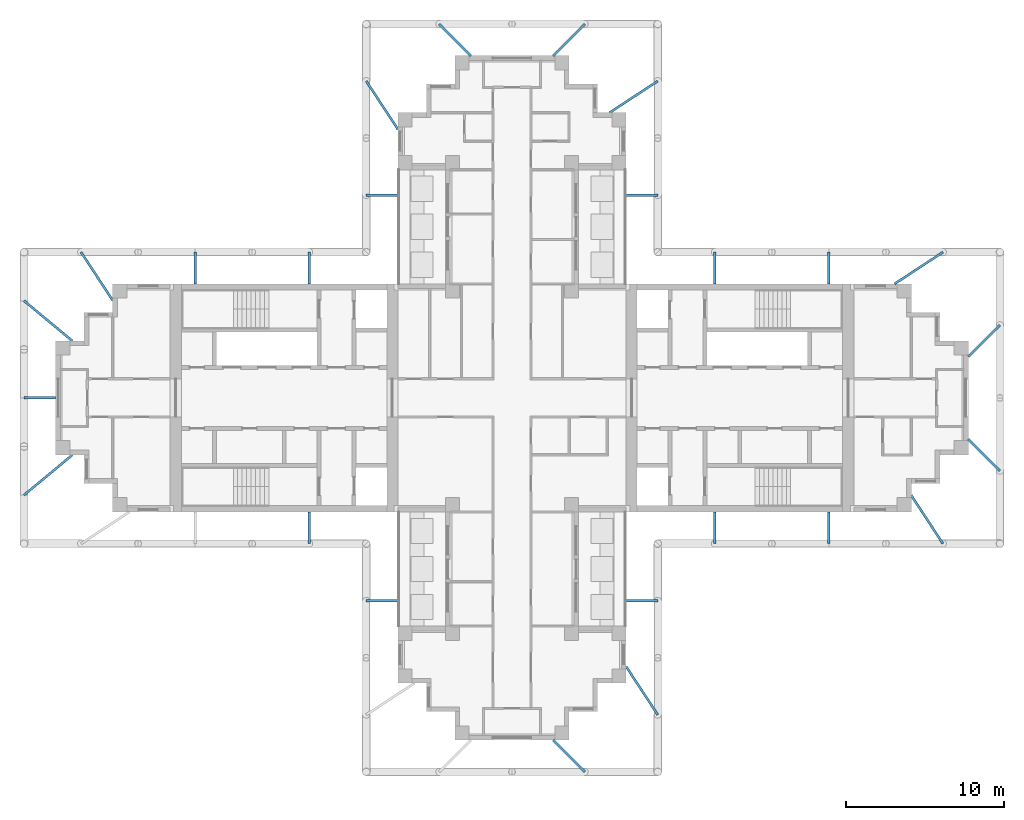
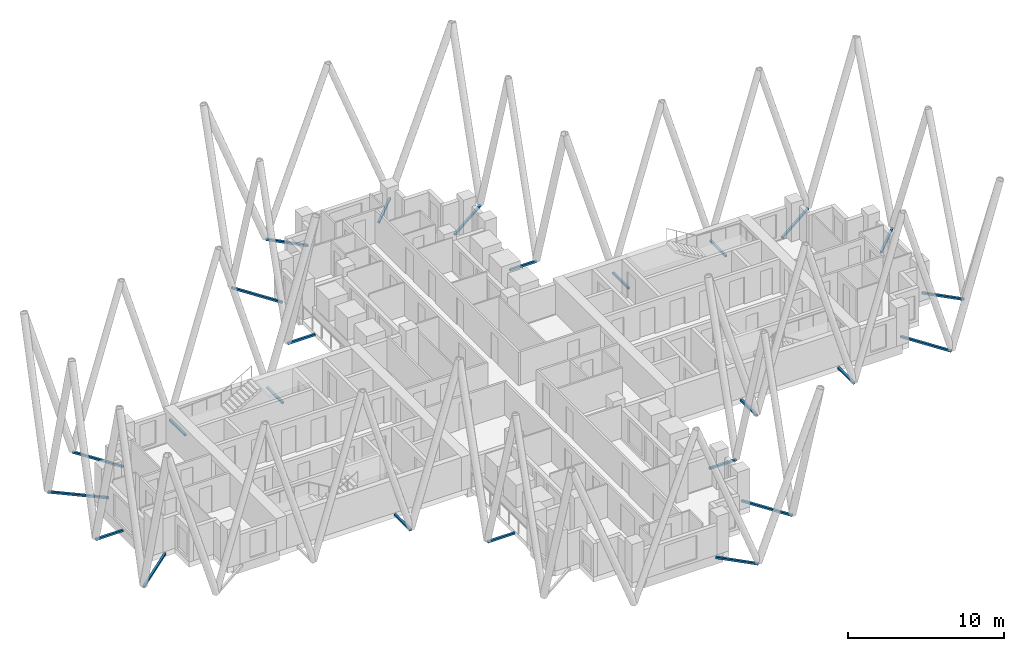
# One storey, part 9 of 11: 25 discrete accessories.
"""IFC4 building model written with IfcOpenShell, lengths in metres."""

from ifc_helpers import new_model, si_unit, direction, frame, origin, origin_2d, place, context, subcontext, project, spatial, hollow_rectangle, extrude, material, element, save


model = new_model("IFC4")

# Units and contexts
model_context = context("Model", 3, precision=1e-05, world=origin(), true_north=direction((0.0, 1.0)))
body_context = subcontext(model_context, "Body", "Model", "MODEL_VIEW")
ifc_project = project(units=[si_unit("LENGTHUNIT", "METRE"), si_unit("AREAUNIT", "SQUARE_METRE"), si_unit("VOLUMEUNIT", "CUBIC_METRE"), si_unit("PLANEANGLEUNIT", "RADIAN"), si_unit("MASSUNIT", "GRAM", prefix="KILO")], contexts=[model_context])

# Site, building, storey
site_placement = place(None, origin())
site = spatial("IfcSite", under=ifc_project, at=site_placement, CompositionType="ELEMENT")
building_placement = place(site_placement, origin())
building = spatial("IfcBuilding", under=site, at=building_placement, Name="Fustian Cross Tower", CompositionType="ELEMENT")
storey_placement = place(building_placement, frame((0.0, 0.0, 210.89990234375)))
storey = spatial("IfcBuildingStorey", under=building, at=storey_placement, Name="L66", CompositionType="ELEMENT", Elevation=210.89990234375)

# Discrete accessories
ifc_material = material(Name="Steel S355", Category="steel")
discrete_accessory_1_placement = place(storey_placement, frame((30.800048828125, 4.60009765625, -0.14990234375), z_axis=(-0.707106781187, -0.707106781187, 0.0), x_axis=(0.707106781187, -0.707106781187, 0.0)))
element("IfcDiscreteAccessory", 1, at=discrete_accessory_1_placement, inside=storey, material=ifc_material, Name="Diagrid node bracket L66-01", PredefinedType="BRACKET", context=body_context, shape_type="SweptSolid", body=[
    extrude(hollow_rectangle(XDim=0.14990234375, YDim=0.14990234375, WallThickness=0.010009765625, at=origin_2d()), origin(), (0.0, 0.0, 1.0), 2.828369140625),
])
discrete_accessory_2_placement = place(storey_placement, frame((27.199951171875, 9.199951171875, -0.14990234375), z_axis=(-0.836248392914, -0.548350823241, 0.0), x_axis=(0.548350823241, -0.836248392914, 0.0)))
element("IfcDiscreteAccessory", 2, at=discrete_accessory_2_placement, inside=storey, material=ifc_material, Name="Diagrid node bracket L66-02", PredefinedType="BRACKET", context=body_context, shape_type="SweptSolid", body=[
    extrude(hollow_rectangle(XDim=0.14990234375, YDim=0.14990234375, WallThickness=0.010009765625, at=origin_2d()), origin(), (0.0, 0.0, 1.0), 3.647216796875),
])
for number, where, z_axis, x_axis, name in (
    (3, (20.0, 9.199951171875, -0.14990234375), (0.0, -1.0, 0.0), (1.0, 0.0, 0.0), "Diagrid node bracket L66-03"),
    (4, (12.800048828125, 9.199951171875, -0.14990234375), (0.0, -1.0, 0.0), (1.0, 0.0, 0.0), "Diagrid node bracket L66-04"),
    (5, (9.199951171875, 12.800048828125, -0.14990234375), (-1.0, 0.0, 0.0), (0.0, -1.0, 0.0), "Diagrid node bracket L66-05"),
):
    element("IfcDiscreteAccessory", number, at=place(storey_placement, frame(where, z_axis=z_axis, x_axis=x_axis)), inside=storey, material=ifc_material, Name=name, PredefinedType="BRACKET", context=body_context, shape_type="SweptSolid", body=[
        extrude(hollow_rectangle(XDim=0.14990234375, YDim=0.14990234375, WallThickness=0.010009765625, at=origin_2d()), origin(), (0.0, 0.0, 1.0), 2.0),
    ])
discrete_accessory_3_placement = place(storey_placement, frame((9.199951171875, 20.0, -0.14990234375), z_axis=(-0.836248392914, -0.548350823241, 0.0), x_axis=(0.548350823241, -0.836248392914, 0.0)))
element("IfcDiscreteAccessory", 6, at=discrete_accessory_3_placement, inside=storey, material=ifc_material, Name="Diagrid node bracket L66-06", PredefinedType="BRACKET", context=body_context, shape_type="SweptSolid", body=[
    extrude(hollow_rectangle(XDim=0.14990234375, YDim=0.14990234375, WallThickness=0.010009765625, at=origin_2d()), origin(), (0.0, 0.0, 1.0), 3.647216796875),
])
for number, where, z_axis, x_axis, name in (
    (7, (4.60009765625, 23.60009765625, -0.14990234375), (-0.707106781187, -0.707106781187, 0.0), (0.707106781187, -0.707106781187, 0.0), "Diagrid node bracket L66-07"),
    (8, (-4.60009765625, 23.60009765625, -0.14990234375), (0.707106781187, -0.707106781187, 0.0), (0.707106781187, 0.707106781187, 0.0), "Diagrid node bracket L66-08"),
):
    element("IfcDiscreteAccessory", number, at=place(storey_placement, frame(where, z_axis=z_axis, x_axis=x_axis)), inside=storey, material=ifc_material, Name=name, PredefinedType="BRACKET", context=body_context, shape_type="SweptSolid", body=[
        extrude(hollow_rectangle(XDim=0.14990234375, YDim=0.14990234375, WallThickness=0.010009765625, at=origin_2d()), origin(), (0.0, 0.0, 1.0), 2.828369140625),
    ])
discrete_accessory_4_placement = place(storey_placement, frame((-9.199951171875, 20.0, -0.14990234375), z_axis=(0.548350823241, -0.836248392914, 0.0), x_axis=(0.836248392914, 0.548350823241, 0.0)))
element("IfcDiscreteAccessory", 9, at=discrete_accessory_4_placement, inside=storey, material=ifc_material, Name="Diagrid node bracket L66-09", PredefinedType="BRACKET", context=body_context, shape_type="SweptSolid", body=[
    extrude(hollow_rectangle(XDim=0.14990234375, YDim=0.14990234375, WallThickness=0.010009765625, at=origin_2d()), origin(), (0.0, 0.0, 1.0), 3.647216796875),
])
for number, where, z_axis, x_axis, name in (
    (10, (-9.199951171875, 12.800048828125, -0.14990234375), (1.0, 0.0, 0.0), (0.0, 1.0, 0.0), "Diagrid node bracket L66-10"),
    (11, (-12.800048828125, 9.199951171875, -0.14990234375), (0.0, -1.0, 0.0), (1.0, 0.0, 0.0), "Diagrid node bracket L66-11"),
    (12, (-20.0, 9.199951171875, -0.14990234375), (0.0, -1.0, 0.0), (1.0, 0.0, 0.0), "Diagrid node bracket L66-12"),
):
    element("IfcDiscreteAccessory", number, at=place(storey_placement, frame(where, z_axis=z_axis, x_axis=x_axis)), inside=storey, material=ifc_material, Name=name, PredefinedType="BRACKET", context=body_context, shape_type="SweptSolid", body=[
        extrude(hollow_rectangle(XDim=0.14990234375, YDim=0.14990234375, WallThickness=0.010009765625, at=origin_2d()), origin(), (0.0, 0.0, 1.0), 2.0),
    ])
discrete_accessory_5_placement = place(storey_placement, frame((-27.199951171875, 9.199951171875, -0.14990234375), z_axis=(0.548350823241, -0.836248392914, 0.0), x_axis=(0.836248392914, 0.548350823241, 0.0)))
element("IfcDiscreteAccessory", 13, at=discrete_accessory_5_placement, inside=storey, material=ifc_material, Name="Diagrid node bracket L66-13", PredefinedType="BRACKET", context=body_context, shape_type="SweptSolid", body=[
    extrude(hollow_rectangle(XDim=0.14990234375, YDim=0.14990234375, WallThickness=0.010009765625, at=origin_2d()), origin(), (0.0, 0.0, 1.0), 3.647216796875),
])
discrete_accessory_6_placement = place(storey_placement, frame((-30.800048828125, 6.13330078125, -0.14990234375), z_axis=(0.769275112648, -0.638917679408, 0.0), x_axis=(0.638917679408, 0.769275112648, 0.0)))
element("IfcDiscreteAccessory", 14, at=discrete_accessory_6_placement, inside=storey, material=ifc_material, Name="Diagrid node bracket L66-14", PredefinedType="BRACKET", context=body_context, shape_type="SweptSolid", body=[
    extrude(hollow_rectangle(XDim=0.14990234375, YDim=0.14990234375, WallThickness=0.010009765625, at=origin_2d()), origin(), (0.0, 0.0, 1.0), 3.96484375),
])
discrete_accessory_7_placement = place(storey_placement, frame((-30.800048828125, 0.0, -0.14990234375), z_axis=(1.0, 0.0, 0.0), x_axis=(0.0, 1.0, 0.0)))
element("IfcDiscreteAccessory", 15, at=discrete_accessory_7_placement, inside=storey, material=ifc_material, Name="Diagrid node bracket L66-15", PredefinedType="BRACKET", context=body_context, shape_type="SweptSolid", body=[
    extrude(hollow_rectangle(XDim=0.14990234375, YDim=0.14990234375, WallThickness=0.010009765625, at=origin_2d()), origin(), (0.0, 0.0, 1.0), 2.0),
])
discrete_accessory_8_placement = place(storey_placement, frame((-30.800048828125, -6.13330078125, -0.14990234375), z_axis=(0.769275112648, 0.638917679408, 0.0), x_axis=(-0.638917679408, 0.769275112648, 0.0)))
element("IfcDiscreteAccessory", 16, at=discrete_accessory_8_placement, inside=storey, material=ifc_material, Name="Diagrid node bracket L66-16", PredefinedType="BRACKET", context=body_context, shape_type="SweptSolid", body=[
    extrude(hollow_rectangle(XDim=0.14990234375, YDim=0.14990234375, WallThickness=0.010009765625, at=origin_2d()), origin(), (0.0, 0.0, 1.0), 3.96484375),
])
for number, where, z_axis, x_axis, name in (
    (17, (-12.800048828125, -9.199951171875, -0.14990234375), (0.0, 1.0, 0.0), (-1.0, 0.0, 0.0), "Diagrid node bracket L66-19"),
    (18, (-9.199951171875, -12.800048828125, -0.14990234375), (1.0, 0.0, 0.0), (0.0, 1.0, 0.0), "Diagrid node bracket L66-20"),
):
    element("IfcDiscreteAccessory", number, at=place(storey_placement, frame(where, z_axis=z_axis, x_axis=x_axis)), inside=storey, material=ifc_material, Name=name, PredefinedType="BRACKET", context=body_context, shape_type="SweptSolid", body=[
        extrude(hollow_rectangle(XDim=0.14990234375, YDim=0.14990234375, WallThickness=0.010009765625, at=origin_2d()), origin(), (0.0, 0.0, 1.0), 2.0),
    ])
discrete_accessory_9_placement = place(storey_placement, frame((4.60009765625, -23.60009765625, -0.14990234375), z_axis=(-0.707106781187, 0.707106781187, 0.0), x_axis=(-0.707106781187, -0.707106781187, 0.0)))
element("IfcDiscreteAccessory", 19, at=discrete_accessory_9_placement, inside=storey, material=ifc_material, Name="Diagrid node bracket L66-23", PredefinedType="BRACKET", context=body_context, shape_type="SweptSolid", body=[
    extrude(hollow_rectangle(XDim=0.14990234375, YDim=0.14990234375, WallThickness=0.010009765625, at=origin_2d()), origin(), (0.0, 0.0, 1.0), 2.828369140625),
])
discrete_accessory_10_placement = place(storey_placement, frame((9.199951171875, -20.0, -0.14990234375), z_axis=(-0.548350823241, 0.836248392914, 0.0), x_axis=(-0.836248392914, -0.548350823241, 0.0)))
element("IfcDiscreteAccessory", 20, at=discrete_accessory_10_placement, inside=storey, material=ifc_material, Name="Diagrid node bracket L66-24", PredefinedType="BRACKET", context=body_context, shape_type="SweptSolid", body=[
    extrude(hollow_rectangle(XDim=0.14990234375, YDim=0.14990234375, WallThickness=0.010009765625, at=origin_2d()), origin(), (0.0, 0.0, 1.0), 3.647216796875),
])
for number, where, z_axis, x_axis, name in (
    (21, (9.199951171875, -12.800048828125, -0.14990234375), (-1.0, 0.0, 0.0), (0.0, -1.0, 0.0), "Diagrid node bracket L66-25"),
    (22, (12.800048828125, -9.199951171875, -0.14990234375), (0.0, 1.0, 0.0), (-1.0, 0.0, 0.0), "Diagrid node bracket L66-26"),
    (23, (20.0, -9.199951171875, -0.14990234375), (0.0, 1.0, 0.0), (-1.0, 0.0, 0.0), "Diagrid node bracket L66-27"),
):
    element("IfcDiscreteAccessory", number, at=place(storey_placement, frame(where, z_axis=z_axis, x_axis=x_axis)), inside=storey, material=ifc_material, Name=name, PredefinedType="BRACKET", context=body_context, shape_type="SweptSolid", body=[
        extrude(hollow_rectangle(XDim=0.14990234375, YDim=0.14990234375, WallThickness=0.010009765625, at=origin_2d()), origin(), (0.0, 0.0, 1.0), 2.0),
    ])
discrete_accessory_11_placement = place(storey_placement, frame((27.199951171875, -9.199951171875, -0.14990234375), z_axis=(-0.548350823241, 0.836248392914, 0.0), x_axis=(-0.836248392914, -0.548350823241, 0.0)))
element("IfcDiscreteAccessory", 24, at=discrete_accessory_11_placement, inside=storey, material=ifc_material, Name="Diagrid node bracket L66-28", PredefinedType="BRACKET", context=body_context, shape_type="SweptSolid", body=[
    extrude(hollow_rectangle(XDim=0.14990234375, YDim=0.14990234375, WallThickness=0.010009765625, at=origin_2d()), origin(), (0.0, 0.0, 1.0), 3.647216796875),
])
discrete_accessory_12_placement = place(storey_placement, frame((30.800048828125, -4.60009765625, -0.14990234375), z_axis=(-0.707106781187, 0.707106781187, 0.0), x_axis=(-0.707106781187, -0.707106781187, 0.0)))
element("IfcDiscreteAccessory", 25, at=discrete_accessory_12_placement, inside=storey, material=ifc_material, Name="Diagrid node bracket L66-29", PredefinedType="BRACKET", context=body_context, shape_type="SweptSolid", body=[
    extrude(hollow_rectangle(XDim=0.14990234375, YDim=0.14990234375, WallThickness=0.010009765625, at=origin_2d()), origin(), (0.0, 0.0, 1.0), 2.828369140625),
])

save(model, "model.ifc")
